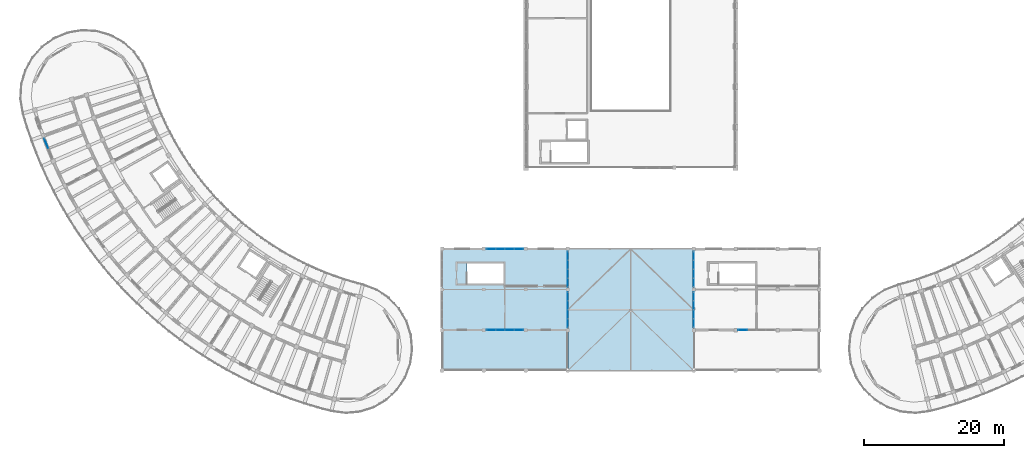
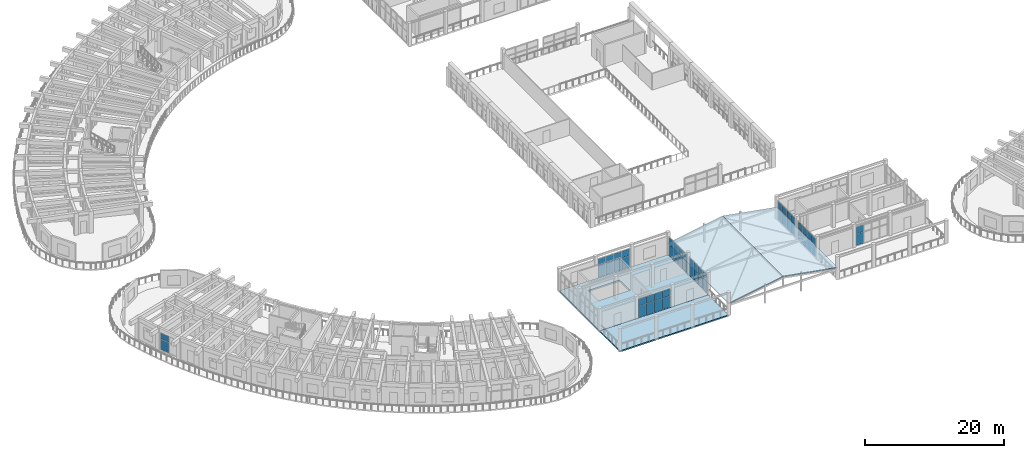
# One storey, part 68 of 128: 52 plates, 4 slabs, 8 elements without a shape of their own.
"""IFC4 building model written with IfcOpenShell, lengths in metres."""

from ifc_helpers import new_model, si_unit, direction, frame, origin, origin_2d, place, context, subcontext, project, spatial, polyline, rectangle, outline, extrude, material, layer, layer_set, type_object, element, aggregate, save


model = new_model("IFC4")

# Units and contexts
model_context = context("Model", 3, precision=1e-05, world=origin(), true_north=direction((0.0, 1.0)))
body_context = subcontext(model_context, "Body", "Model", "MODEL_VIEW")
ifc_project = project(units=[si_unit("LENGTHUNIT", "METRE"), si_unit("AREAUNIT", "SQUARE_METRE"), si_unit("VOLUMEUNIT", "CUBIC_METRE"), si_unit("PLANEANGLEUNIT", "RADIAN"), si_unit("MASSUNIT", "GRAM", prefix="KILO")], contexts=[model_context])

# Site, building, storey
site_placement = place(None, origin())
site = spatial("IfcSite", under=ifc_project, at=site_placement, CompositionType="ELEMENT")
building_placement = place(site_placement, origin())
building = spatial("IfcBuilding", under=site, at=building_placement, Name="Tanwirah Colonnade Gardens", CompositionType="ELEMENT")
storey_placement = place(building_placement, frame((0.0, 0.0, 4.760009765625)))
storey = spatial("IfcBuildingStorey", under=building, at=storey_placement, Name="L01", CompositionType="ELEMENT", Elevation=4.760009765625)

# Curtain wall, plates
ifc_material_1 = material(Name="Bronze-anodised aluminium and solar-control low-E glass", Category="aluminium")
curtain_wall_type_1 = type_object("IfcCurtainWallType", Name="CW-LOB", PredefinedType="NOTDEFINED", material=ifc_material_1)
curtain_wall_1_placement = place(storey_placement, origin())
curtain_wall_1 = element("IfcCurtainWall", 1, at=curtain_wall_1_placement, inside=storey, type_object=curtain_wall_type_1, Name="Curtain Wall CW-C-L01-OUT-01", PredefinedType="NOTDEFINED")
ifc_material_2 = material(Name="Solar-control low-E double glazing", Category="glass")
ifc_layer_1 = layer(ifc_material_2, 0.028076171875)
ifc_layer_set_1 = layer_set([ifc_layer_1], Name="Solar-control low-E double glazing")
plate_type = type_object("IfcPlateType", Name="CWP-GLZ28", PredefinedType="CURTAIN_PANEL", material=ifc_layer_set_1)
plate_1_placement = place(storey_placement, frame((9.3837890625, 43.2900390625, 0.06005859375), z_axis=(0.0, 0.0, 1.0), x_axis=(0.368528781723, -0.929616338627, 0.0)))
plate_1 = element("IfcPlate", 2, at=plate_1_placement, type_object=plate_type, Name="CW-LOB panel 1.1", PredefinedType="CURTAIN_PANEL", context=body_context, shape_type="SweptSolid", body=[
    extrude(rectangle(XDim=1.49853515625, YDim=0.028076171875, at=origin_2d()), origin(), (0.0, 0.0, 1.0), 1.81640625),
])
plate_2_placement = place(storey_placement, frame((9.3837890625, 43.2900390625, 1.9365234375), z_axis=(0.0, 0.0, 1.0), x_axis=(0.368528781723, -0.929616338627, 0.0)))
plate_2 = element("IfcPlate", 3, at=plate_2_placement, type_object=plate_type, Name="CW-LOB panel 1.2", PredefinedType="CURTAIN_PANEL", context=body_context, shape_type="SweptSolid", body=[
    extrude(rectangle(XDim=1.49853515625, YDim=0.028076171875, at=origin_2d()), origin(), (0.0, 0.0, 1.0), 1.07861328125),
])
aggregate(curtain_wall_1, [plate_1, plate_2])

curtain_wall_type_2 = type_object("IfcCurtainWallType", Name="CW-SHP", PredefinedType="NOTDEFINED", material=ifc_material_1)
curtain_wall_2_placement = place(storey_placement, origin())
curtain_wall_2 = element("IfcCurtainWall", 4, at=curtain_wall_2_placement, inside=storey, type_object=curtain_wall_type_2, Name="Curtain Wall CW-SHP-W-L01-S-1", PredefinedType="NOTDEFINED")
plate_3_placement = place(storey_placement, frame((73.027587890625, 16.60009765625, 0.06005859375), z_axis=(0.0, 0.0, 1.0), x_axis=(1.0, 0.0, 0.0)))
plate_3 = element("IfcPlate", 5, at=plate_3_placement, type_object=plate_type, Name="CW-SHP panel 1.1", PredefinedType="CURTAIN_PANEL", context=body_context, shape_type="SweptSolid", body=[
    extrude(rectangle(XDim=1.235107421875, YDim=0.028076171875, at=origin_2d()), origin(), (0.0, 0.0, 1.0), 1.980712890625),
])
plate_4_placement = place(storey_placement, frame((73.027587890625, 16.60009765625, 2.100830078125), z_axis=(0.0, 0.0, 1.0), x_axis=(1.0, 0.0, 0.0)))
plate_4 = element("IfcPlate", 6, at=plate_4_placement, type_object=plate_type, Name="CW-SHP panel 1.2", PredefinedType="CURTAIN_PANEL", context=body_context, shape_type="SweptSolid", body=[
    extrude(rectangle(XDim=1.235107421875, YDim=0.028076171875, at=origin_2d()), origin(), (0.0, 0.0, 1.0), 1.17919921875),
])
plate_5_placement = place(storey_placement, frame((74.33740234375, 16.60009765625, 0.06005859375), z_axis=(0.0, 0.0, 1.0), x_axis=(1.0, 0.0, 0.0)))
plate_5 = element("IfcPlate", 7, at=plate_5_placement, type_object=plate_type, Name="CW-SHP panel 2.1", PredefinedType="CURTAIN_PANEL", context=body_context, shape_type="SweptSolid", body=[
    extrude(rectangle(XDim=1.264892578125, YDim=0.028076171875, at=origin_2d()), origin(), (0.0, 0.0, 1.0), 1.980712890625),
])
plate_6_placement = place(storey_placement, frame((74.33740234375, 16.60009765625, 2.100830078125), z_axis=(0.0, 0.0, 1.0), x_axis=(1.0, 0.0, 0.0)))
plate_6 = element("IfcPlate", 8, at=plate_6_placement, type_object=plate_type, Name="CW-SHP panel 2.2", PredefinedType="CURTAIN_PANEL", context=body_context, shape_type="SweptSolid", body=[
    extrude(rectangle(XDim=1.264892578125, YDim=0.028076171875, at=origin_2d()), origin(), (0.0, 0.0, 1.0), 1.17919921875),
])
plate_7_placement = place(storey_placement, frame((75.66259765625, 16.60009765625, 0.06005859375), z_axis=(0.0, 0.0, 1.0), x_axis=(1.0, 0.0, 0.0)))
plate_7 = element("IfcPlate", 9, at=plate_7_placement, type_object=plate_type, Name="CW-SHP panel 3.1", PredefinedType="CURTAIN_PANEL", context=body_context, shape_type="SweptSolid", body=[
    extrude(rectangle(XDim=1.264892578125, YDim=0.028076171875, at=origin_2d()), origin(), (0.0, 0.0, 1.0), 1.980712890625),
])
plate_8_placement = place(storey_placement, frame((75.66259765625, 16.60009765625, 2.100830078125), z_axis=(0.0, 0.0, 1.0), x_axis=(1.0, 0.0, 0.0)))
plate_8 = element("IfcPlate", 10, at=plate_8_placement, type_object=plate_type, Name="CW-SHP panel 3.2", PredefinedType="CURTAIN_PANEL", context=body_context, shape_type="SweptSolid", body=[
    extrude(rectangle(XDim=1.264892578125, YDim=0.028076171875, at=origin_2d()), origin(), (0.0, 0.0, 1.0), 1.17919921875),
])
plate_9_placement = place(storey_placement, frame((76.972412109375, 16.60009765625, 0.06005859375), z_axis=(0.0, 0.0, 1.0), x_axis=(1.0, 0.0, 0.0)))
plate_9 = element("IfcPlate", 11, at=plate_9_placement, type_object=plate_type, Name="CW-SHP panel 4.1", PredefinedType="CURTAIN_PANEL", context=body_context, shape_type="SweptSolid", body=[
    extrude(rectangle(XDim=1.235107421875, YDim=0.028076171875, at=origin_2d()), origin(), (0.0, 0.0, 1.0), 1.980712890625),
])
plate_10_placement = place(storey_placement, frame((76.972412109375, 16.60009765625, 2.100830078125), z_axis=(0.0, 0.0, 1.0), x_axis=(1.0, 0.0, 0.0)))
plate_10 = element("IfcPlate", 12, at=plate_10_placement, type_object=plate_type, Name="CW-SHP panel 4.2", PredefinedType="CURTAIN_PANEL", context=body_context, shape_type="SweptSolid", body=[
    extrude(rectangle(XDim=1.235107421875, YDim=0.028076171875, at=origin_2d()), origin(), (0.0, 0.0, 1.0), 1.17919921875),
])
aggregate(curtain_wall_2, [plate_3, plate_4, plate_5, plate_6, plate_7, plate_8, plate_9, plate_10])

curtain_wall_3_placement = place(storey_placement, origin())
curtain_wall_3 = element("IfcCurtainWall", 13, at=curtain_wall_3_placement, inside=storey, type_object=curtain_wall_type_2, Name="Curtain Wall CW-SHP-W-L01-N-1", PredefinedType="NOTDEFINED")
plate_11_placement = place(storey_placement, frame((73.027587890625, 28.199951171875, 0.06005859375), z_axis=(0.0, 0.0, 1.0), x_axis=(1.0, 0.0, 0.0)))
plate_11 = element("IfcPlate", 14, at=plate_11_placement, type_object=plate_type, Name="CW-SHP panel 1.1", PredefinedType="CURTAIN_PANEL", context=body_context, shape_type="SweptSolid", body=[
    extrude(rectangle(XDim=1.235107421875, YDim=0.028076171875, at=origin_2d()), origin(), (0.0, 0.0, 1.0), 1.980712890625),
])
plate_12_placement = place(storey_placement, frame((73.027587890625, 28.199951171875, 2.100830078125), z_axis=(0.0, 0.0, 1.0), x_axis=(1.0, 0.0, 0.0)))
plate_12 = element("IfcPlate", 15, at=plate_12_placement, type_object=plate_type, Name="CW-SHP panel 1.2", PredefinedType="CURTAIN_PANEL", context=body_context, shape_type="SweptSolid", body=[
    extrude(rectangle(XDim=1.235107421875, YDim=0.028076171875, at=origin_2d()), origin(), (0.0, 0.0, 1.0), 1.17919921875),
])
plate_13_placement = place(storey_placement, frame((74.33740234375, 28.199951171875, 0.06005859375), z_axis=(0.0, 0.0, 1.0), x_axis=(1.0, 0.0, 0.0)))
plate_13 = element("IfcPlate", 16, at=plate_13_placement, type_object=plate_type, Name="CW-SHP panel 2.1", PredefinedType="CURTAIN_PANEL", context=body_context, shape_type="SweptSolid", body=[
    extrude(rectangle(XDim=1.264892578125, YDim=0.028076171875, at=origin_2d()), origin(), (0.0, 0.0, 1.0), 1.980712890625),
])
plate_14_placement = place(storey_placement, frame((74.33740234375, 28.199951171875, 2.100830078125), z_axis=(0.0, 0.0, 1.0), x_axis=(1.0, 0.0, 0.0)))
plate_14 = element("IfcPlate", 17, at=plate_14_placement, type_object=plate_type, Name="CW-SHP panel 2.2", PredefinedType="CURTAIN_PANEL", context=body_context, shape_type="SweptSolid", body=[
    extrude(rectangle(XDim=1.264892578125, YDim=0.028076171875, at=origin_2d()), origin(), (0.0, 0.0, 1.0), 1.17919921875),
])
plate_15_placement = place(storey_placement, frame((75.66259765625, 28.199951171875, 0.06005859375), z_axis=(0.0, 0.0, 1.0), x_axis=(1.0, 0.0, 0.0)))
plate_15 = element("IfcPlate", 18, at=plate_15_placement, type_object=plate_type, Name="CW-SHP panel 3.1", PredefinedType="CURTAIN_PANEL", context=body_context, shape_type="SweptSolid", body=[
    extrude(rectangle(XDim=1.264892578125, YDim=0.028076171875, at=origin_2d()), origin(), (0.0, 0.0, 1.0), 1.980712890625),
])
plate_16_placement = place(storey_placement, frame((75.66259765625, 28.199951171875, 2.100830078125), z_axis=(0.0, 0.0, 1.0), x_axis=(1.0, 0.0, 0.0)))
plate_16 = element("IfcPlate", 19, at=plate_16_placement, type_object=plate_type, Name="CW-SHP panel 3.2", PredefinedType="CURTAIN_PANEL", context=body_context, shape_type="SweptSolid", body=[
    extrude(rectangle(XDim=1.264892578125, YDim=0.028076171875, at=origin_2d()), origin(), (0.0, 0.0, 1.0), 1.17919921875),
])
plate_17_placement = place(storey_placement, frame((76.972412109375, 28.199951171875, 0.06005859375), z_axis=(0.0, 0.0, 1.0), x_axis=(1.0, 0.0, 0.0)))
plate_17 = element("IfcPlate", 20, at=plate_17_placement, type_object=plate_type, Name="CW-SHP panel 4.1", PredefinedType="CURTAIN_PANEL", context=body_context, shape_type="SweptSolid", body=[
    extrude(rectangle(XDim=1.235107421875, YDim=0.028076171875, at=origin_2d()), origin(), (0.0, 0.0, 1.0), 1.980712890625),
])
plate_18_placement = place(storey_placement, frame((76.972412109375, 28.199951171875, 2.100830078125), z_axis=(0.0, 0.0, 1.0), x_axis=(1.0, 0.0, 0.0)))
plate_18 = element("IfcPlate", 21, at=plate_18_placement, type_object=plate_type, Name="CW-SHP panel 4.2", PredefinedType="CURTAIN_PANEL", context=body_context, shape_type="SweptSolid", body=[
    extrude(rectangle(XDim=1.235107421875, YDim=0.028076171875, at=origin_2d()), origin(), (0.0, 0.0, 1.0), 1.17919921875),
])
aggregate(curtain_wall_3, [plate_11, plate_12, plate_13, plate_14, plate_15, plate_16, plate_17, plate_18])

curtain_wall_4_placement = place(storey_placement, origin())
curtain_wall_4 = element("IfcCurtainWall", 22, at=curtain_wall_4_placement, inside=storey, type_object=curtain_wall_type_2, Name="Curtain Wall CW-SHP-W-L01-E-1", PredefinedType="NOTDEFINED")
plate_19_placement = place(storey_placement, frame((84.0, 17.6025390625, 0.06005859375), z_axis=(0.0, 0.0, 1.0), x_axis=(0.0, 1.0, 0.0)))
plate_19 = element("IfcPlate", 23, at=plate_19_placement, type_object=plate_type, Name="CW-SHP panel 1.1", PredefinedType="CURTAIN_PANEL", context=body_context, shape_type="SweptSolid", body=[
    extrude(rectangle(XDim=1.18505859375, YDim=0.028076171875, at=origin_2d()), origin(), (0.0, 0.0, 1.0), 1.980712890625),
])
plate_20_placement = place(storey_placement, frame((84.0, 17.6025390625, 2.100830078125), z_axis=(0.0, 0.0, 1.0), x_axis=(0.0, 1.0, 0.0)))
plate_20 = element("IfcPlate", 24, at=plate_20_placement, type_object=plate_type, Name="CW-SHP panel 1.2", PredefinedType="CURTAIN_PANEL", context=body_context, shape_type="SweptSolid", body=[
    extrude(rectangle(XDim=1.18505859375, YDim=0.028076171875, at=origin_2d()), origin(), (0.0, 0.0, 1.0), 1.17919921875),
])
plate_21_placement = place(storey_placement, frame((84.0, 18.862548828125, 0.06005859375), z_axis=(0.0, 0.0, 1.0), x_axis=(0.0, 1.0, 0.0)))
plate_21 = element("IfcPlate", 25, at=plate_21_placement, type_object=plate_type, Name="CW-SHP panel 2.1", PredefinedType="CURTAIN_PANEL", context=body_context, shape_type="SweptSolid", body=[
    extrude(rectangle(XDim=1.215087890625, YDim=0.028076171875, at=origin_2d()), origin(), (0.0, 0.0, 1.0), 1.980712890625),
])
plate_22_placement = place(storey_placement, frame((84.0, 18.862548828125, 2.100830078125), z_axis=(0.0, 0.0, 1.0), x_axis=(0.0, 1.0, 0.0)))
plate_22 = element("IfcPlate", 26, at=plate_22_placement, type_object=plate_type, Name="CW-SHP panel 2.2", PredefinedType="CURTAIN_PANEL", context=body_context, shape_type="SweptSolid", body=[
    extrude(rectangle(XDim=1.215087890625, YDim=0.028076171875, at=origin_2d()), origin(), (0.0, 0.0, 1.0), 1.17919921875),
])
plate_23_placement = place(storey_placement, frame((84.0, 20.137451171875, 0.06005859375), z_axis=(0.0, 0.0, 1.0), x_axis=(0.0, 1.0, 0.0)))
plate_23 = element("IfcPlate", 27, at=plate_23_placement, type_object=plate_type, Name="CW-SHP panel 3.1", PredefinedType="CURTAIN_PANEL", context=body_context, shape_type="SweptSolid", body=[
    extrude(rectangle(XDim=1.215087890625, YDim=0.028076171875, at=origin_2d()), origin(), (0.0, 0.0, 1.0), 1.980712890625),
])
plate_24_placement = place(storey_placement, frame((84.0, 20.137451171875, 2.100830078125), z_axis=(0.0, 0.0, 1.0), x_axis=(0.0, 1.0, 0.0)))
plate_24 = element("IfcPlate", 28, at=plate_24_placement, type_object=plate_type, Name="CW-SHP panel 3.2", PredefinedType="CURTAIN_PANEL", context=body_context, shape_type="SweptSolid", body=[
    extrude(rectangle(XDim=1.215087890625, YDim=0.028076171875, at=origin_2d()), origin(), (0.0, 0.0, 1.0), 1.17919921875),
])
plate_25_placement = place(storey_placement, frame((84.0, 21.3974609375, 0.06005859375), z_axis=(0.0, 0.0, 1.0), x_axis=(0.0, 1.0, 0.0)))
plate_25 = element("IfcPlate", 29, at=plate_25_placement, type_object=plate_type, Name="CW-SHP panel 4.1", PredefinedType="CURTAIN_PANEL", context=body_context, shape_type="SweptSolid", body=[
    extrude(rectangle(XDim=1.18505859375, YDim=0.028076171875, at=origin_2d()), origin(), (0.0, 0.0, 1.0), 1.980712890625),
])
plate_26_placement = place(storey_placement, frame((84.0, 21.3974609375, 2.100830078125), z_axis=(0.0, 0.0, 1.0), x_axis=(0.0, 1.0, 0.0)))
plate_26 = element("IfcPlate", 30, at=plate_26_placement, type_object=plate_type, Name="CW-SHP panel 4.2", PredefinedType="CURTAIN_PANEL", context=body_context, shape_type="SweptSolid", body=[
    extrude(rectangle(XDim=1.18505859375, YDim=0.028076171875, at=origin_2d()), origin(), (0.0, 0.0, 1.0), 1.17919921875),
])
aggregate(curtain_wall_4, [plate_19, plate_20, plate_21, plate_22, plate_23, plate_24, plate_25, plate_26])

curtain_wall_5_placement = place(storey_placement, origin())
curtain_wall_5 = element("IfcCurtainWall", 31, at=curtain_wall_5_placement, inside=storey, type_object=curtain_wall_type_2, Name="Curtain Wall CW-SHP-W-L01-E-2", PredefinedType="NOTDEFINED")
plate_27_placement = place(storey_placement, frame((84.0, 23.402587890625, 0.06005859375), z_axis=(0.0, 0.0, 1.0), x_axis=(0.0, 1.0, 0.0)))
plate_27 = element("IfcPlate", 32, at=plate_27_placement, type_object=plate_type, Name="CW-SHP panel 1.1", PredefinedType="CURTAIN_PANEL", context=body_context, shape_type="SweptSolid", body=[
    extrude(rectangle(XDim=1.18505859375, YDim=0.028076171875, at=origin_2d()), origin(), (0.0, 0.0, 1.0), 1.980712890625),
])
plate_28_placement = place(storey_placement, frame((84.0, 23.402587890625, 2.100830078125), z_axis=(0.0, 0.0, 1.0), x_axis=(0.0, 1.0, 0.0)))
plate_28 = element("IfcPlate", 33, at=plate_28_placement, type_object=plate_type, Name="CW-SHP panel 1.2", PredefinedType="CURTAIN_PANEL", context=body_context, shape_type="SweptSolid", body=[
    extrude(rectangle(XDim=1.18505859375, YDim=0.028076171875, at=origin_2d()), origin(), (0.0, 0.0, 1.0), 1.17919921875),
])
plate_29_placement = place(storey_placement, frame((84.0, 24.66259765625, 0.06005859375), z_axis=(0.0, 0.0, 1.0), x_axis=(0.0, 1.0, 0.0)))
plate_29 = element("IfcPlate", 34, at=plate_29_placement, type_object=plate_type, Name="CW-SHP panel 2.1", PredefinedType="CURTAIN_PANEL", context=body_context, shape_type="SweptSolid", body=[
    extrude(rectangle(XDim=1.215087890625, YDim=0.028076171875, at=origin_2d()), origin(), (0.0, 0.0, 1.0), 1.980712890625),
])
plate_30_placement = place(storey_placement, frame((84.0, 24.66259765625, 2.100830078125), z_axis=(0.0, 0.0, 1.0), x_axis=(0.0, 1.0, 0.0)))
plate_30 = element("IfcPlate", 35, at=plate_30_placement, type_object=plate_type, Name="CW-SHP panel 2.2", PredefinedType="CURTAIN_PANEL", context=body_context, shape_type="SweptSolid", body=[
    extrude(rectangle(XDim=1.215087890625, YDim=0.028076171875, at=origin_2d()), origin(), (0.0, 0.0, 1.0), 1.17919921875),
])
plate_31_placement = place(storey_placement, frame((84.0, 25.9375, 0.06005859375), z_axis=(0.0, 0.0, 1.0), x_axis=(0.0, 1.0, 0.0)))
plate_31 = element("IfcPlate", 36, at=plate_31_placement, type_object=plate_type, Name="CW-SHP panel 3.1", PredefinedType="CURTAIN_PANEL", context=body_context, shape_type="SweptSolid", body=[
    extrude(rectangle(XDim=1.215087890625, YDim=0.028076171875, at=origin_2d()), origin(), (0.0, 0.0, 1.0), 1.980712890625),
])
plate_32_placement = place(storey_placement, frame((84.0, 25.9375, 2.100830078125), z_axis=(0.0, 0.0, 1.0), x_axis=(0.0, 1.0, 0.0)))
plate_32 = element("IfcPlate", 37, at=plate_32_placement, type_object=plate_type, Name="CW-SHP panel 3.2", PredefinedType="CURTAIN_PANEL", context=body_context, shape_type="SweptSolid", body=[
    extrude(rectangle(XDim=1.215087890625, YDim=0.028076171875, at=origin_2d()), origin(), (0.0, 0.0, 1.0), 1.17919921875),
])
plate_33_placement = place(storey_placement, frame((84.0, 27.197509765625, 0.06005859375), z_axis=(0.0, 0.0, 1.0), x_axis=(0.0, 1.0, 0.0)))
plate_33 = element("IfcPlate", 38, at=plate_33_placement, type_object=plate_type, Name="CW-SHP panel 4.1", PredefinedType="CURTAIN_PANEL", context=body_context, shape_type="SweptSolid", body=[
    extrude(rectangle(XDim=1.18505859375, YDim=0.028076171875, at=origin_2d()), origin(), (0.0, 0.0, 1.0), 1.980712890625),
])
plate_34_placement = place(storey_placement, frame((84.0, 27.197509765625, 2.100830078125), z_axis=(0.0, 0.0, 1.0), x_axis=(0.0, 1.0, 0.0)))
plate_34 = element("IfcPlate", 39, at=plate_34_placement, type_object=plate_type, Name="CW-SHP panel 4.2", PredefinedType="CURTAIN_PANEL", context=body_context, shape_type="SweptSolid", body=[
    extrude(rectangle(XDim=1.18505859375, YDim=0.028076171875, at=origin_2d()), origin(), (0.0, 0.0, 1.0), 1.17919921875),
])
aggregate(curtain_wall_5, [plate_27, plate_28, plate_29, plate_30, plate_31, plate_32, plate_33, plate_34])

curtain_wall_6_placement = place(storey_placement, origin())
curtain_wall_6 = element("IfcCurtainWall", 40, at=curtain_wall_6_placement, inside=storey, type_object=curtain_wall_type_2, Name="Curtain Wall CW-SHP-E-L01-S-1", PredefinedType="NOTDEFINED")
plate_35_placement = place(storey_placement, frame((109.027587890625, 16.60009765625, 0.06005859375), z_axis=(0.0, 0.0, 1.0), x_axis=(1.0, 0.0, 0.0)))
plate_35 = element("IfcPlate", 41, at=plate_35_placement, type_object=plate_type, Name="CW-SHP panel 1.1", PredefinedType="CURTAIN_PANEL", context=body_context, shape_type="SweptSolid", body=[
    extrude(rectangle(XDim=1.235107421875, YDim=0.028076171875, at=origin_2d()), origin(), (0.0, 0.0, 1.0), 1.980712890625),
])
plate_36_placement = place(storey_placement, frame((109.027587890625, 16.60009765625, 2.100830078125), z_axis=(0.0, 0.0, 1.0), x_axis=(1.0, 0.0, 0.0)))
plate_36 = element("IfcPlate", 42, at=plate_36_placement, type_object=plate_type, Name="CW-SHP panel 1.2", PredefinedType="CURTAIN_PANEL", context=body_context, shape_type="SweptSolid", body=[
    extrude(rectangle(XDim=1.235107421875, YDim=0.028076171875, at=origin_2d()), origin(), (0.0, 0.0, 1.0), 1.17919921875),
])
aggregate(curtain_wall_6, [plate_35, plate_36])

curtain_wall_7_placement = place(storey_placement, origin())
curtain_wall_7 = element("IfcCurtainWall", 43, at=curtain_wall_7_placement, inside=storey, type_object=curtain_wall_type_2, Name="Curtain Wall CW-SHP-E-L01-W-1", PredefinedType="NOTDEFINED")
plate_37_placement = place(storey_placement, frame((102.0, 17.6025390625, 0.06005859375), z_axis=(0.0, 0.0, 1.0), x_axis=(0.0, 1.0, 0.0)))
plate_37 = element("IfcPlate", 44, at=plate_37_placement, type_object=plate_type, Name="CW-SHP panel 1.1", PredefinedType="CURTAIN_PANEL", context=body_context, shape_type="SweptSolid", body=[
    extrude(rectangle(XDim=1.18505859375, YDim=0.028076171875, at=origin_2d()), origin(), (0.0, 0.0, 1.0), 1.980712890625),
])
plate_38_placement = place(storey_placement, frame((102.0, 17.6025390625, 2.100830078125), z_axis=(0.0, 0.0, 1.0), x_axis=(0.0, 1.0, 0.0)))
plate_38 = element("IfcPlate", 45, at=plate_38_placement, type_object=plate_type, Name="CW-SHP panel 1.2", PredefinedType="CURTAIN_PANEL", context=body_context, shape_type="SweptSolid", body=[
    extrude(rectangle(XDim=1.18505859375, YDim=0.028076171875, at=origin_2d()), origin(), (0.0, 0.0, 1.0), 1.17919921875),
])
plate_39_placement = place(storey_placement, frame((102.0, 18.862548828125, 0.06005859375), z_axis=(0.0, 0.0, 1.0), x_axis=(0.0, 1.0, 0.0)))
plate_39 = element("IfcPlate", 46, at=plate_39_placement, type_object=plate_type, Name="CW-SHP panel 2.1", PredefinedType="CURTAIN_PANEL", context=body_context, shape_type="SweptSolid", body=[
    extrude(rectangle(XDim=1.215087890625, YDim=0.028076171875, at=origin_2d()), origin(), (0.0, 0.0, 1.0), 1.980712890625),
])
plate_40_placement = place(storey_placement, frame((102.0, 18.862548828125, 2.100830078125), z_axis=(0.0, 0.0, 1.0), x_axis=(0.0, 1.0, 0.0)))
plate_40 = element("IfcPlate", 47, at=plate_40_placement, type_object=plate_type, Name="CW-SHP panel 2.2", PredefinedType="CURTAIN_PANEL", context=body_context, shape_type="SweptSolid", body=[
    extrude(rectangle(XDim=1.215087890625, YDim=0.028076171875, at=origin_2d()), origin(), (0.0, 0.0, 1.0), 1.17919921875),
])
plate_41_placement = place(storey_placement, frame((102.0, 20.137451171875, 0.06005859375), z_axis=(0.0, 0.0, 1.0), x_axis=(0.0, 1.0, 0.0)))
plate_41 = element("IfcPlate", 48, at=plate_41_placement, type_object=plate_type, Name="CW-SHP panel 3.1", PredefinedType="CURTAIN_PANEL", context=body_context, shape_type="SweptSolid", body=[
    extrude(rectangle(XDim=1.215087890625, YDim=0.028076171875, at=origin_2d()), origin(), (0.0, 0.0, 1.0), 1.980712890625),
])
plate_42_placement = place(storey_placement, frame((102.0, 20.137451171875, 2.100830078125), z_axis=(0.0, 0.0, 1.0), x_axis=(0.0, 1.0, 0.0)))
plate_42 = element("IfcPlate", 49, at=plate_42_placement, type_object=plate_type, Name="CW-SHP panel 3.2", PredefinedType="CURTAIN_PANEL", context=body_context, shape_type="SweptSolid", body=[
    extrude(rectangle(XDim=1.215087890625, YDim=0.028076171875, at=origin_2d()), origin(), (0.0, 0.0, 1.0), 1.17919921875),
])
plate_43_placement = place(storey_placement, frame((102.0, 21.3974609375, 0.06005859375), z_axis=(0.0, 0.0, 1.0), x_axis=(0.0, 1.0, 0.0)))
plate_43 = element("IfcPlate", 50, at=plate_43_placement, type_object=plate_type, Name="CW-SHP panel 4.1", PredefinedType="CURTAIN_PANEL", context=body_context, shape_type="SweptSolid", body=[
    extrude(rectangle(XDim=1.18505859375, YDim=0.028076171875, at=origin_2d()), origin(), (0.0, 0.0, 1.0), 1.980712890625),
])
plate_44_placement = place(storey_placement, frame((102.0, 21.3974609375, 2.100830078125), z_axis=(0.0, 0.0, 1.0), x_axis=(0.0, 1.0, 0.0)))
plate_44 = element("IfcPlate", 51, at=plate_44_placement, type_object=plate_type, Name="CW-SHP panel 4.2", PredefinedType="CURTAIN_PANEL", context=body_context, shape_type="SweptSolid", body=[
    extrude(rectangle(XDim=1.18505859375, YDim=0.028076171875, at=origin_2d()), origin(), (0.0, 0.0, 1.0), 1.17919921875),
])
aggregate(curtain_wall_7, [plate_37, plate_38, plate_39, plate_40, plate_41, plate_42, plate_43, plate_44])

curtain_wall_8_placement = place(storey_placement, origin())
curtain_wall_8 = element("IfcCurtainWall", 52, at=curtain_wall_8_placement, inside=storey, type_object=curtain_wall_type_2, Name="Curtain Wall CW-SHP-E-L01-W-2", PredefinedType="NOTDEFINED")
plate_45_placement = place(storey_placement, frame((102.0, 23.402587890625, 0.06005859375), z_axis=(0.0, 0.0, 1.0), x_axis=(0.0, 1.0, 0.0)))
plate_45 = element("IfcPlate", 53, at=plate_45_placement, type_object=plate_type, Name="CW-SHP panel 1.1", PredefinedType="CURTAIN_PANEL", context=body_context, shape_type="SweptSolid", body=[
    extrude(rectangle(XDim=1.18505859375, YDim=0.028076171875, at=origin_2d()), origin(), (0.0, 0.0, 1.0), 1.980712890625),
])
plate_46_placement = place(storey_placement, frame((102.0, 23.402587890625, 2.100830078125), z_axis=(0.0, 0.0, 1.0), x_axis=(0.0, 1.0, 0.0)))
plate_46 = element("IfcPlate", 54, at=plate_46_placement, type_object=plate_type, Name="CW-SHP panel 1.2", PredefinedType="CURTAIN_PANEL", context=body_context, shape_type="SweptSolid", body=[
    extrude(rectangle(XDim=1.18505859375, YDim=0.028076171875, at=origin_2d()), origin(), (0.0, 0.0, 1.0), 1.17919921875),
])
plate_47_placement = place(storey_placement, frame((102.0, 24.66259765625, 0.06005859375), z_axis=(0.0, 0.0, 1.0), x_axis=(0.0, 1.0, 0.0)))
plate_47 = element("IfcPlate", 55, at=plate_47_placement, type_object=plate_type, Name="CW-SHP panel 2.1", PredefinedType="CURTAIN_PANEL", context=body_context, shape_type="SweptSolid", body=[
    extrude(rectangle(XDim=1.215087890625, YDim=0.028076171875, at=origin_2d()), origin(), (0.0, 0.0, 1.0), 1.980712890625),
])
plate_48_placement = place(storey_placement, frame((102.0, 24.66259765625, 2.100830078125), z_axis=(0.0, 0.0, 1.0), x_axis=(0.0, 1.0, 0.0)))
plate_48 = element("IfcPlate", 56, at=plate_48_placement, type_object=plate_type, Name="CW-SHP panel 2.2", PredefinedType="CURTAIN_PANEL", context=body_context, shape_type="SweptSolid", body=[
    extrude(rectangle(XDim=1.215087890625, YDim=0.028076171875, at=origin_2d()), origin(), (0.0, 0.0, 1.0), 1.17919921875),
])
plate_49_placement = place(storey_placement, frame((102.0, 25.9375, 0.06005859375), z_axis=(0.0, 0.0, 1.0), x_axis=(0.0, 1.0, 0.0)))
plate_49 = element("IfcPlate", 57, at=plate_49_placement, type_object=plate_type, Name="CW-SHP panel 3.1", PredefinedType="CURTAIN_PANEL", context=body_context, shape_type="SweptSolid", body=[
    extrude(rectangle(XDim=1.215087890625, YDim=0.028076171875, at=origin_2d()), origin(), (0.0, 0.0, 1.0), 1.980712890625),
])
plate_50_placement = place(storey_placement, frame((102.0, 25.9375, 2.100830078125), z_axis=(0.0, 0.0, 1.0), x_axis=(0.0, 1.0, 0.0)))
plate_50 = element("IfcPlate", 58, at=plate_50_placement, type_object=plate_type, Name="CW-SHP panel 3.2", PredefinedType="CURTAIN_PANEL", context=body_context, shape_type="SweptSolid", body=[
    extrude(rectangle(XDim=1.215087890625, YDim=0.028076171875, at=origin_2d()), origin(), (0.0, 0.0, 1.0), 1.17919921875),
])
plate_51_placement = place(storey_placement, frame((102.0, 27.197509765625, 0.06005859375), z_axis=(0.0, 0.0, 1.0), x_axis=(0.0, 1.0, 0.0)))
plate_51 = element("IfcPlate", 59, at=plate_51_placement, type_object=plate_type, Name="CW-SHP panel 4.1", PredefinedType="CURTAIN_PANEL", context=body_context, shape_type="SweptSolid", body=[
    extrude(rectangle(XDim=1.18505859375, YDim=0.028076171875, at=origin_2d()), origin(), (0.0, 0.0, 1.0), 1.980712890625),
])
plate_52_placement = place(storey_placement, frame((102.0, 27.197509765625, 2.100830078125), z_axis=(0.0, 0.0, 1.0), x_axis=(0.0, 1.0, 0.0)))
plate_52 = element("IfcPlate", 60, at=plate_52_placement, type_object=plate_type, Name="CW-SHP panel 4.2", PredefinedType="CURTAIN_PANEL", context=body_context, shape_type="SweptSolid", body=[
    extrude(rectangle(XDim=1.18505859375, YDim=0.028076171875, at=origin_2d()), origin(), (0.0, 0.0, 1.0), 1.17919921875),
])
aggregate(curtain_wall_8, [plate_45, plate_46, plate_47, plate_48, plate_49, plate_50, plate_51, plate_52])

# Slabs
ifc_material_3 = material(Name="Precast concrete C40/50", Category="concrete")
ifc_layer_2 = layer(ifc_material_3, 0.14990234375)
ifc_layer_set_2 = layer_set([ifc_layer_2], Name="Precast concrete C40/50")
slab_type_1 = type_object("IfcSlabType", Name="RF-CAN-150", PredefinedType="ROOF", material=ifc_layer_set_2)
for number, where, z_axis, x_axis, name in (
    (61, (84.0, 10.800048828125, 2.0400390625), (-0.175017800818, 0.0, 0.984565269242), (0.984565269242, 0.0, 0.175017800818), "Forecourt Canopy Roof Slope WEST"),
    (62, (93.0, 10.800048828125, 3.639892578125), (0.175017800818, 0.0, 0.984565269242), (0.984565269242, 0.0, -0.175017800818), "Forecourt Canopy Roof Slope EAST"),
):
    element("IfcSlab", number, at=place(storey_placement, frame(where, z_axis=z_axis, x_axis=x_axis)), inside=storey, type_object=slab_type_1, Name=name, PredefinedType="ROOF", context=body_context, shape_type="SweptSolid", body=[
        extrude(outline(polyline([(0.0, 0.0), (9.141090267110247, 0.0), (9.141090267110247, 17.399902343749996), (0.0, 17.399902343749996), (0.0, 0.0)])), origin(), (0.0, 0.0, -1.0), 0.14990234375),
    ])
ifc_layer_3 = layer(ifc_material_3, 0.22998046875)
ifc_layer_set_3 = layer_set([ifc_layer_3], Name="Precast concrete C40/50")
slab_type_2 = type_object("IfcSlabType", Name="SL-ARC-230", PredefinedType="FLOOR", material=ifc_layer_set_3)
slab_1_placement = place(storey_placement, frame((0.0, 0.0, -0.22998046875)))
element("IfcSlab", 63, at=slab_1_placement, inside=storey, type_object=slab_type_2, Name="Boulevard Arcade W L01 Terrace Slab", PredefinedType="FLOOR", context=body_context, shape_type="SweptSolid", body=[
    extrude(outline(polyline([(84.0, 10.800048828125), (84.0, 16.60009765625), (66.0, 16.60009765625), (66.0, 10.800048828125), (84.0, 10.800048828125)])), origin(), (0.0, 0.0, 1.0), 0.22998046875),
])
ifc_layer_4 = layer(ifc_material_3, 0.27001953125)
ifc_layer_set_4 = layer_set([ifc_layer_4], Name="Precast concrete C40/50")
slab_type_3 = type_object("IfcSlabType", Name="SL-SHP-270", PredefinedType="FLOOR", material=ifc_layer_set_4)
slab_2_placement = place(storey_placement, frame((0.0, 0.0, -0.27001953125)))
element("IfcSlab", 64, at=slab_2_placement, inside=storey, type_object=slab_type_3, Name="Boulevard Shops W L01 Floor Slab", PredefinedType="FLOOR", context=body_context, shape_type="SweptSolid", body=[
    extrude(outline(polyline([(84.0, 16.60009765625), (84.0, 28.199951171875), (66.0, 28.199951171875), (66.0, 16.60009765625), (84.0, 16.60009765625)]), holes=[polyline([(69.60302734375, 23.2529296875), (69.60302734375, 26.1669921875), (74.800048828125, 26.1669921875), (74.800048828125, 23.2529296875), (69.60302734375, 23.2529296875)])]), origin(), (0.0, 0.0, 1.0), 0.27001953125),
])

save(model, "model.ifc")
